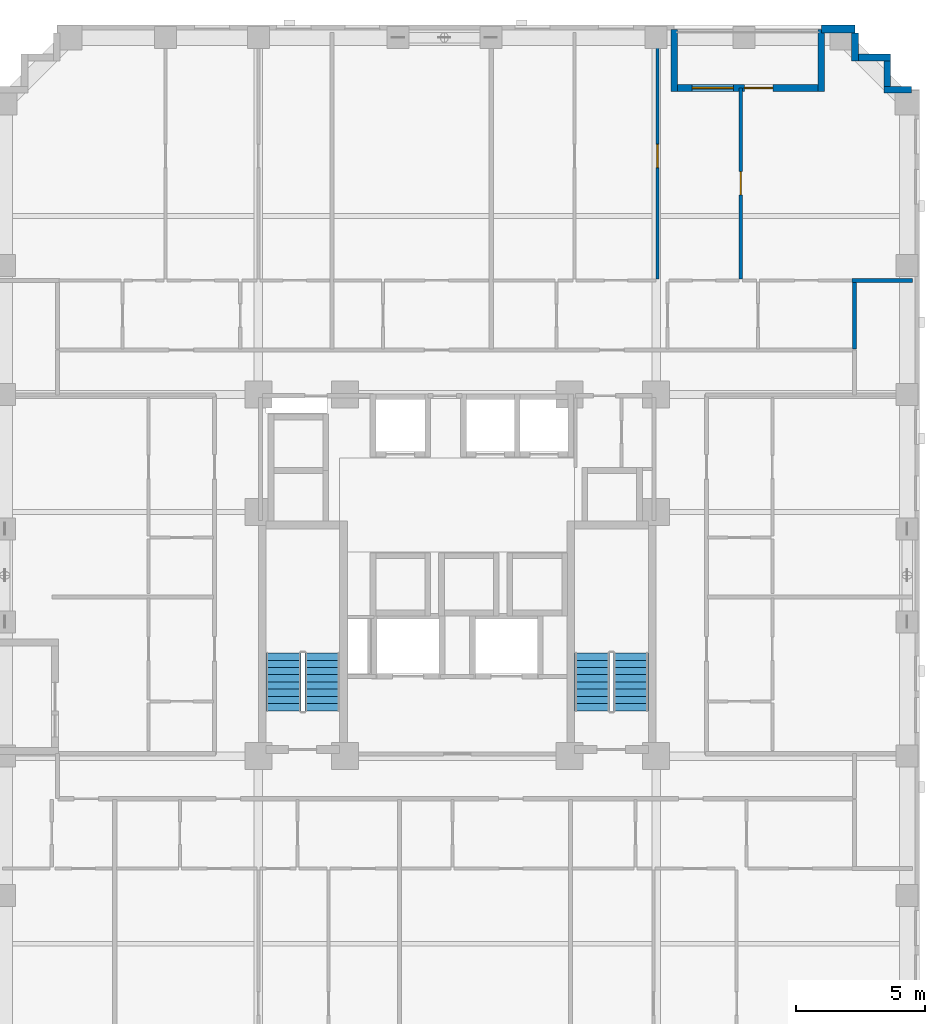
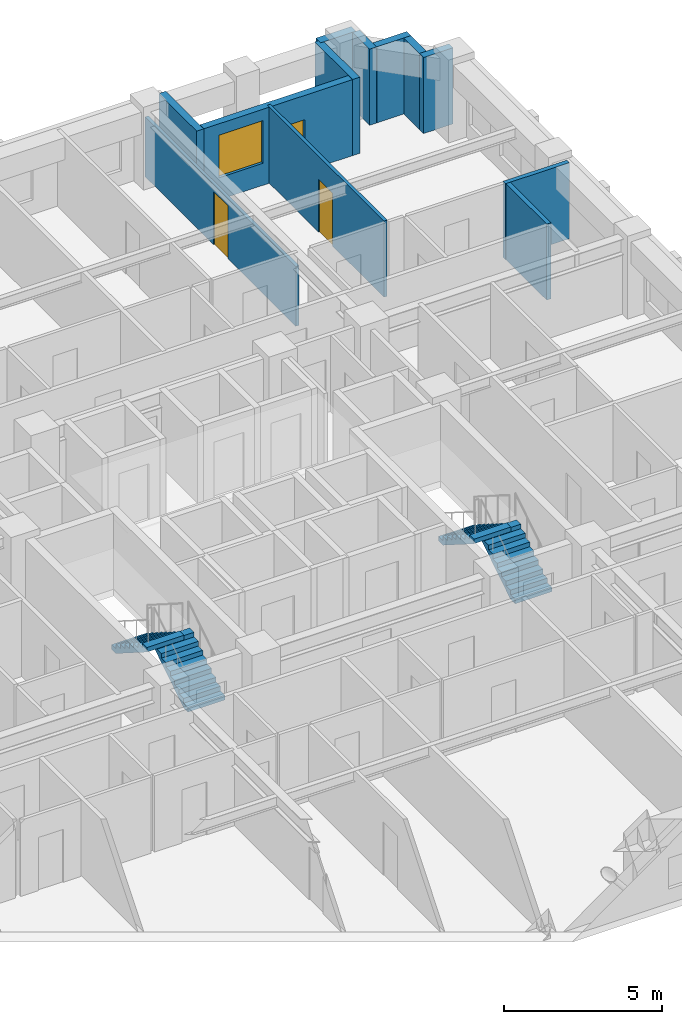
# One storey, part 8 of 12: 12 walls, 4 stair flights, 3 doors, 1 window, 4 openings, 2 elements without a shape of their own.
"""IFC4 building model written with IfcOpenShell, lengths in metres."""

from ifc_helpers import new_model, si_unit, derived_unit, direction, frame, frame_2d, origin, place, context, subcontext, project, spatial, polyline, rectangle, outline, extrude, material, layer, layer_set, type_object, element, fill, aggregate, save


model = new_model("IFC4")

# Units and contexts
model_context = context("Model", 3, precision=1e-05, world=origin(), true_north=direction((0.0, 1.0)))
body_context = subcontext(model_context, "Body", "Model", "MODEL_VIEW")
ifc_project = project(units=[si_unit("LENGTHUNIT", "METRE"), si_unit("AREAUNIT", "SQUARE_METRE"), si_unit("VOLUMEUNIT", "CUBIC_METRE"), si_unit("PLANEANGLEUNIT", "RADIAN"), si_unit("MASSUNIT", "GRAM", prefix="KILO"), derived_unit("THERMALTRANSMITTANCEUNIT", [(si_unit("MASSUNIT", "GRAM", prefix="KILO"), 1), (si_unit("TIMEUNIT", "SECOND"), -3), (si_unit("THERMODYNAMICTEMPERATUREUNIT", "KELVIN"), -1)])], contexts=[model_context])

# Site, building, storey
site_placement = place(None, origin())
site = spatial("IfcSite", under=ifc_project, at=site_placement, CompositionType="ELEMENT")
building_placement = place(site_placement, origin())
building = spatial("IfcBuilding", under=site, at=building_placement, Name="Korrvale Station Residences", CompositionType="ELEMENT")
storey_placement = place(building_placement, frame((0.0, 0.0, 94.300048828125)))
storey = spatial("IfcBuildingStorey", under=building, at=storey_placement, Name="L26", CompositionType="ELEMENT", Elevation=94.300048828125)

# Wall
ifc_material_1 = material(Name="Precast concrete C45/55", Category="concrete")
ifc_layer_1 = layer(ifc_material_1, 0.260009765625, Name="Precast concrete C45/55")
ifc_layer_set_1 = layer_set([ifc_layer_1], Name="Precast concrete C45/55")
wall_type_1 = type_object("IfcWallType", Name="WAL-EXT-LOG260", PredefinedType="SOLIDWALL", material=ifc_layer_set_1)
wall_1_placement = place(storey_placement, frame((33.89990234375, 43.139892578125, 0.0), z_axis=(0.0, 0.0, 1.0), x_axis=(0.0, -1.0, 0.0)))
element("IfcWall", 1, at=wall_1_placement, inside=storey, type_object=wall_type_1, Name="L26 Recessed Loggia Wall BAL-L26-N1-L", PredefinedType="SOLIDWALL", context=body_context, shape_type="SweptSolid", body=[
    extrude(rectangle(XDim=2.39990234375, YDim=0.260009765625, at=frame_2d((1.199951171875, 0.0))), origin(), (0.0, 0.0, 1.0), 2.93994140625),
])

# Wall, openings, door, window
wall_2_placement = place(storey_placement, frame((34.033935546875, 40.8701171875, 0.0), z_axis=(0.0, 0.0, 1.0), x_axis=(1.0, 0.0, 0.0)))
wall_2 = element("IfcWall", 2, at=wall_2_placement, inside=storey, type_object=wall_type_1, Name="L26 Recessed Loggia Wall BAL-L26-N1-B", PredefinedType="SOLIDWALL", context=body_context, shape_type="SweptSolid", body=[
    extrude(rectangle(XDim=5.43212890625, YDim=0.260009765625, at=frame_2d((2.716064453125, 0.0))), origin(), (0.0, 0.0, 1.0), 2.93994140625),
])
opening_1_placement = place(wall_2_placement, frame((2.5859375, 0.0, 0.0)))
opening_1 = element("IfcOpeningElement", 3, at=opening_1_placement, cuts=wall_2, Name="Opening BD-01", PredefinedType="OPENING", context=body_context, shape_type="SweptSolid", body=[
    extrude(rectangle(XDim=1.10009765625, YDim=2.0, at=frame_2d((0.550048828125, 1.0))), frame((0.0, 0.14013671875, 0.0), z_axis=(0.0, -1.0, 0.0), x_axis=(1.0, 0.0, 0.0)), (0.0, 0.0, 1.0), 0.280029296875),
])
opening_2_placement = place(wall_2_placement, frame((0.55810546875, 0.0, 0.85009765625)))
opening_2 = element("IfcOpeningElement", 4, at=opening_2_placement, cuts=wall_2, Name="Opening W-05", PredefinedType="OPENING", context=body_context, shape_type="SweptSolid", body=[
    extrude(rectangle(XDim=1.60009765625, YDim=1.64990234375, at=frame_2d((0.800048828125, 0.824951171875))), frame((0.0, 0.14013671875, 0.0), z_axis=(0.0, -1.0, 0.0), x_axis=(1.0, 0.0, 0.0)), (0.0, 0.0, 1.0), 0.280029296875),
])
ifc_material_2 = material(Name="Exterior thermally broken aluminium glazed balcony door", Category="aluminium")
door_type_1 = type_object("IfcDoorType", Name="DR-EXT-BAL", OperationType="NOTDEFINED", PredefinedType="DOOR", material=ifc_material_2)
door_1_placement = place(opening_1_placement, origin())
door_1 = element("IfcDoor", 5, at=door_1_placement, inside=storey, type_object=door_type_1, Name="L26 Loggia Balcony Door BAL-L26-N1", OperationType="SINGLE_SWING_RIGHT", OverallHeight=2.0, OverallWidth=1.10009765625, PredefinedType="DOOR", context=body_context, shape_type="SweptSolid", body=[
    extrude(rectangle(XDim=1.10009765625, YDim=2.0, at=frame_2d((0.550048828125, 1.0))), frame((0.0, 0.02490234375, 0.0), z_axis=(0.0, -1.0, 0.0), x_axis=(1.0, 0.0, 0.0)), (0.0, 0.0, 1.0), 0.050048828125),
])
fill(opening_1, door_1)
ifc_material_3 = material(Name="Thermally broken aluminium frame with triple low-e glazing", Category="aluminium")
window_type = type_object("IfcWindowType", Name="WIN-W05", PartitioningType="DOUBLE_PANEL_VERTICAL", PredefinedType="WINDOW", material=ifc_material_3)
window_placement = place(opening_2_placement, origin())
window = element("IfcWindow", 6, at=window_placement, inside=storey, type_object=window_type, Name="L26 Punched Window 18", OverallHeight=1.64990234375, OverallWidth=1.60009765625, PartitioningType="DOUBLE_PANEL_VERTICAL", PredefinedType="WINDOW", context=body_context, shape_type="SweptSolid", body=[
    extrude(rectangle(XDim=1.60009765625, YDim=1.64990234375, at=frame_2d((0.800048828125, 0.824951171875))), frame((0.0, 0.030029296875, 0.0), z_axis=(0.0, -1.0, 0.0), x_axis=(1.0, 0.0, 0.0)), (0.0, 0.0, 1.0), 0.06005859375),
])
fill(opening_2, window)

# Walls
wall_3_placement = place(storey_placement, frame((39.60009765625, 40.739990234375, 0.0), z_axis=(0.0, 0.0, 1.0), x_axis=(0.0, 1.0, 0.0)))
element("IfcWall", 7, at=wall_3_placement, inside=storey, type_object=wall_type_1, Name="L26 Recessed Loggia Wall BAL-L26-N1-R", PredefinedType="SOLIDWALL", context=body_context, shape_type="SweptSolid", body=[
    extrude(rectangle(XDim=2.39990234375, YDim=0.260009765625, at=frame_2d((1.199951171875, 0.0))), origin(), (0.0, 0.0, 1.0), 2.93994140625),
])
wall_4_placement = place(storey_placement, frame((40.89990234375, 42.998046875, 0.0), z_axis=(0.0, 0.0, 1.0), x_axis=(0.0, -1.0, 0.0)))
element("IfcWall", 8, at=wall_4_placement, inside=storey, type_object=wall_type_1, Name="L26 Serrated Corner Precast Step NE-1", PredefinedType="SOLIDWALL", context=body_context, shape_type="SweptSolid", body=[
    extrude(rectangle(XDim=1.078125, YDim=0.260009765625, at=frame_2d((0.5390625, 0.0))), origin(), (0.0, 0.0, 1.0), 2.93994140625),
])
wall_5_placement = place(storey_placement, frame((41.031982421875, 42.050048828125, 0.0), z_axis=(0.0, 0.0, 1.0), x_axis=(1.0, 0.0, 0.0)))
element("IfcWall", 9, at=wall_5_placement, inside=storey, type_object=wall_type_1, Name="L26 Serrated Corner Precast Step NE-2", PredefinedType="SOLIDWALL", context=body_context, shape_type="SweptSolid", body=[
    extrude(rectangle(XDim=1.248046875, YDim=0.260009765625, at=frame_2d((0.6240234375, 0.0))), origin(), (0.0, 0.0, 1.0), 2.93994140625),
])
wall_6_placement = place(storey_placement, frame((42.14990234375, 41.91796875, 0.0), z_axis=(0.0, 0.0, 1.0), x_axis=(0.0, -1.0, 0.0)))
element("IfcWall", 10, at=wall_6_placement, inside=storey, type_object=wall_type_1, Name="L26 Serrated Corner Precast Step NE-3", PredefinedType="SOLIDWALL", context=body_context, shape_type="SweptSolid", body=[
    extrude(rectangle(XDim=0.986083984375, YDim=0.260009765625, at=frame_2d((0.4931640625, 0.0))), origin(), (0.0, 0.0, 1.0), 2.93994140625),
])
wall_7_placement = place(storey_placement, frame((42.02001953125, 40.800048828125, 0.0), z_axis=(0.0, 0.0, 1.0), x_axis=(1.0, 0.0, 0.0)))
element("IfcWall", 11, at=wall_7_placement, inside=storey, type_object=wall_type_1, Name="L26 Serrated Corner Precast Step NE-4", PredefinedType="SOLIDWALL", context=body_context, shape_type="SweptSolid", body=[
    extrude(rectangle(XDim=1.077880859375, YDim=0.260009765625, at=frame_2d((0.5390625, 0.0))), origin(), (0.0, 0.0, 1.0), 2.93994140625),
])
ifc_layer_2 = layer(ifc_material_1, 0.300048828125, Name="Precast concrete C45/55")
ifc_layer_set_2 = layer_set([ifc_layer_2], Name="Precast concrete C45/55")
wall_type_2 = type_object("IfcWallType", Name="WAL-EXT-PC300", PredefinedType="SOLIDWALL", material=ifc_layer_set_2)
wall_8_placement = place(storey_placement, frame((39.60009765625, 43.14990234375, 0.0), z_axis=(0.0, 0.0, 1.0), x_axis=(1.0, 0.0, 0.0)))
element("IfcWall", 12, at=wall_8_placement, inside=storey, type_object=wall_type_2, Name="L26 North Exterior Precast Wall 2", PredefinedType="SOLIDWALL", context=body_context, shape_type="SweptSolid", body=[
    extrude(rectangle(XDim=1.2998046875, YDim=0.300048828125, at=frame_2d((0.64990234375, 0.0))), origin(), (0.0, 0.0, 1.0), 2.93994140625),
])

# Wall, opening, door
ifc_material_4 = material(Name="Acoustic steel-stud gypsum board partition", Category="steel")
ifc_layer_3 = layer(ifc_material_4, 0.1201171875, Name="Acoustic steel-stud gypsum board partition")
ifc_layer_set_3 = layer_set([ifc_layer_3], Name="Acoustic steel-stud gypsum board partition")
wall_type_3 = type_object("IfcWallType", Name="WAL-PART-125", PredefinedType="PARTITIONING", material=ifc_layer_set_3)
wall_9_placement = place(storey_placement, frame((33.260009765625, 33.47998046875, 0.0), z_axis=(0.0, 0.0, 1.0), x_axis=(0.0, 1.0, 0.0)))
wall_9 = element("IfcWall", 13, at=wall_9_placement, inside=storey, type_object=wall_type_3, Name="L26 Suite Partition U07-V56", PredefinedType="PARTITIONING", context=body_context, shape_type="SweptSolid", body=[
    extrude(rectangle(XDim=9.5400390625, YDim=0.1201171875, at=frame_2d((4.77001953125, 0.0))), origin(), (0.0, 0.0, 1.0), 2.308837890625),
])
opening_3_placement = place(wall_9_placement, frame((4.304931640625, 0.0, 0.0)))
opening_3 = element("IfcOpeningElement", 14, at=opening_3_placement, cuts=wall_9, Name="Opening DI-900", PredefinedType="OPENING", context=body_context, shape_type="SweptSolid", body=[
    extrude(rectangle(XDim=0.89990234375, YDim=2.050048828125, at=frame_2d((0.449951171875, 1.02490234375))), frame((0.0, 0.070068359375, 0.0), z_axis=(0.0, -1.0, 0.0), x_axis=(1.0, 0.0, 0.0)), (0.0, 0.0, 1.0), 0.14013671875),
])
ifc_material_5 = material(Name="Painted solid-core timber interior room door", Category="wood")
door_type_2 = type_object("IfcDoorType", Name="DR-INT-900", OperationType="NOTDEFINED", PredefinedType="DOOR", material=ifc_material_5)
door_2_placement = place(opening_3_placement, origin())
door_2 = element("IfcDoor", 15, at=door_2_placement, inside=storey, type_object=door_type_2, Name="L26 Studio Apartment L26-U07 Formal Dining Room Door", OperationType="SINGLE_SWING_LEFT", OverallHeight=2.050048828125, OverallWidth=0.89990234375, PredefinedType="DOOR", context=body_context, shape_type="SweptSolid", body=[
    extrude(rectangle(XDim=0.89990234375, YDim=2.050048828125, at=frame_2d((0.449951171875, 1.02490234375))), frame((0.0, 0.02490234375, 0.0), z_axis=(0.0, -1.0, 0.0), x_axis=(1.0, 0.0, 0.0)), (0.0, 0.0, 1.0), 0.050048828125),
])
fill(opening_3, door_2)

wall_10_placement = place(storey_placement, frame((36.47998046875, 33.47998046875, 0.0), z_axis=(0.0, 0.0, 1.0), x_axis=(0.0, 1.0, 0.0)))
wall_10 = element("IfcWall", 16, at=wall_10_placement, inside=storey, type_object=wall_type_3, Name="L26 Suite Partition U07-V67", PredefinedType="PARTITIONING", context=body_context, shape_type="SweptSolid", body=[
    extrude(rectangle(XDim=7.39013671875, YDim=0.1201171875, at=frame_2d((3.695068359375, 0.0))), origin(), (0.0, 0.0, 1.0), 2.93994140625),
])
opening_4_placement = place(wall_10_placement, frame((3.2451171875, 0.0, 0.0)))
opening_4 = element("IfcOpeningElement", 17, at=opening_4_placement, cuts=wall_10, Name="Opening DI-900", PredefinedType="OPENING", context=body_context, shape_type="SweptSolid", body=[
    extrude(rectangle(XDim=0.89990234375, YDim=2.050048828125, at=frame_2d((0.449951171875, 1.02490234375))), frame((0.0, 0.070068359375, 0.0), z_axis=(0.0, -1.0, 0.0), x_axis=(1.0, 0.0, 0.0)), (0.0, 0.0, 1.0), 0.14013671875),
])
door_3_placement = place(opening_4_placement, origin())
door_3 = element("IfcDoor", 18, at=door_3_placement, inside=storey, type_object=door_type_2, Name="L26 Studio Apartment L26-U07 Formal Dining Room Door", OperationType="SINGLE_SWING_RIGHT", OverallHeight=2.050048828125, OverallWidth=0.89990234375, PredefinedType="DOOR", context=body_context, shape_type="SweptSolid", body=[
    extrude(rectangle(XDim=0.89990234375, YDim=2.050048828125, at=frame_2d((0.449951171875, 1.02490234375))), frame((0.0, 0.02490234375, 0.0), z_axis=(0.0, -1.0, 0.0), x_axis=(1.0, 0.0, 0.0)), (0.0, 0.0, 1.0), 0.050048828125),
])
fill(opening_4, door_3)

# Walls
ifc_material_6 = material(Name="Fire-rated twin-stud gypsum and mineral wool shaftwall assembly", Category="gypsum")
ifc_layer_4 = layer(ifc_material_6, 0.159912109375, Name="Fire-rated twin-stud gypsum and mineral wool shaftwall assembly")
ifc_layer_set_4 = layer_set([ifc_layer_4], Name="Fire-rated twin-stud gypsum and mineral wool shaftwall assembly")
wall_type_4 = type_object("IfcWallType", Name="WAL-PART-200", PredefinedType="PARTITIONING", material=ifc_layer_set_4)
wall_11_placement = place(storey_placement, frame((40.780029296875, 33.419921875, 0.0), z_axis=(0.0, 0.0, 1.0), x_axis=(1.0, 0.0, 0.0)))
element("IfcWall", 19, at=wall_11_placement, inside=storey, type_object=wall_type_4, Name="L26 Corner Step Wall U07-R", PredefinedType="PARTITIONING", context=body_context, shape_type="SweptSolid", body=[
    extrude(rectangle(XDim=2.340087890625, YDim=0.159912109375, at=frame_2d((1.169921875, 0.0))), origin(), (0.0, 0.0, 1.0), 2.93994140625),
])
wall_12_placement = place(storey_placement, frame((40.8798828125, 30.760009765625, 0.0), z_axis=(0.0, 0.0, 1.0), x_axis=(0.0, 1.0, 0.0)))
element("IfcWall", 20, at=wall_12_placement, inside=storey, type_object=wall_type_4, Name="L26 Corner Step Cheek U07-R", PredefinedType="PARTITIONING", context=body_context, shape_type="SweptSolid", body=[
    extrude(rectangle(XDim=2.659912109375, YDim=0.159912109375, at=frame_2d((1.330078125, 0.0))), origin(), (0.0, 0.0, 1.0), 2.93994140625),
])

# Stair, stair flights
ifc_material_7 = material(Name="Concrete C50/60", Category="concrete")
stair_type = type_object("IfcStairType", Name="STR-DL-1350-18R-1778", PredefinedType="HALF_TURN_STAIR", material=ifc_material_7)
stair_1_placement = place(storey_placement, origin())
stair_1 = element("IfcStair", 21, at=stair_1_placement, inside=storey, type_object=stair_type, Name="L26 Exit Stair 1", PredefinedType="HALF_TURN_STAIR")
stair_flight_type = type_object("IfcStairFlightType", Name="FLT-DL-1350-18R-1778", PredefinedType="STRAIGHT", material=ifc_material_7)
stair_flight_1_placement = place(storey_placement, frame((20.27490234375, 16.75, 0.0), z_axis=(0.0, 0.0, 1.0), x_axis=(0.0, 1.0, 0.0)))
stair_flight_1 = element("IfcStairFlight", 22, at=stair_flight_1_placement, type_object=stair_flight_type, Name="ST-1 flight 1", NumberOfRisers=9, NumberOfTreads=8, PredefinedType="STRAIGHT", RiserHeight=0.177777778, TreadLength=0.28, context=body_context, shape_type="SweptSolid", body=[
    extrude(outline(polyline([(0.0, 0.0), (0.0, 0.177734375), (0.280029296875, 0.177734375), (0.280029296875, 0.35546875), (0.56005859375, 0.35546875), (0.56005859375, 0.533447265625), (0.840087890625, 0.533447265625), (0.840087890625, 0.711181640625), (1.1201171875, 0.711181640625), (1.1201171875, 0.888916015625), (1.39990234375, 0.888916015625), (1.39990234375, 1.066650390625), (1.679931640625, 1.066650390625), (1.679931640625, 1.244384765625), (1.9599609375, 1.244384765625), (1.9599609375, 1.422119140625), (2.239990234375, 1.422119140625), (2.239990234375, 1.60009765625), (2.239990234375, 1.24462890625), (0.27978515625, 0.0), (0.0, 0.0)])), frame((0.0, 0.675048828125, 0.0), z_axis=(0.0, -1.0, 0.0), x_axis=(1.0, 0.0, 0.0)), (0.0, 0.0, 1.0), 1.35009765625),
])
stair_flight_2_placement = place(storey_placement, frame((18.77490234375, 18.989990234375, 1.599853515625), z_axis=(0.0, 0.0, 1.0), x_axis=(0.0, -1.0, 0.0)))
stair_flight_2 = element("IfcStairFlight", 23, at=stair_flight_2_placement, type_object=stair_flight_type, Name="ST-1 flight 2", NumberOfRisers=9, NumberOfTreads=8, PredefinedType="STRAIGHT", RiserHeight=0.177777778, TreadLength=0.28, context=body_context, shape_type="SweptSolid", body=[
    extrude(outline(polyline([(0.0, 0.0), (0.0, 0.177734375), (0.280029296875, 0.177734375), (0.280029296875, 0.35546875), (0.56005859375, 0.35546875), (0.56005859375, 0.533447265625), (0.840087890625, 0.533447265625), (0.840087890625, 0.711181640625), (1.1201171875, 0.711181640625), (1.1201171875, 0.888916015625), (1.39990234375, 0.888916015625), (1.39990234375, 1.066650390625), (1.679931640625, 1.066650390625), (1.679931640625, 1.244384765625), (1.9599609375, 1.244384765625), (1.9599609375, 1.422119140625), (2.239990234375, 1.422119140625), (2.239990234375, 1.60009765625), (2.239990234375, 1.24462890625), (0.27978515625, 0.0), (0.0, 0.0)])), frame((0.0, 0.675048828125, 0.0), z_axis=(0.0, -1.0, 0.0), x_axis=(1.0, 0.0, 0.0)), (0.0, 0.0, 1.0), 1.35009765625),
])
aggregate(stair_1, [stair_flight_1, stair_flight_2])

stair_2_placement = place(storey_placement, origin())
stair_2 = element("IfcStair", 24, at=stair_2_placement, inside=storey, type_object=stair_type, Name="L26 Exit Stair 2", PredefinedType="HALF_TURN_STAIR")
stair_flight_3_placement = place(storey_placement, frame((32.22509765625, 16.75, 0.0), z_axis=(0.0, 0.0, 1.0), x_axis=(0.0, 1.0, 0.0)))
stair_flight_3 = element("IfcStairFlight", 25, at=stair_flight_3_placement, type_object=stair_flight_type, Name="ST-2 flight 1", NumberOfRisers=9, NumberOfTreads=8, PredefinedType="STRAIGHT", RiserHeight=0.177777778, TreadLength=0.28, context=body_context, shape_type="SweptSolid", body=[
    extrude(outline(polyline([(0.0, 0.0), (0.0, 0.177734375), (0.280029296875, 0.177734375), (0.280029296875, 0.35546875), (0.56005859375, 0.35546875), (0.56005859375, 0.533447265625), (0.840087890625, 0.533447265625), (0.840087890625, 0.711181640625), (1.1201171875, 0.711181640625), (1.1201171875, 0.888916015625), (1.39990234375, 0.888916015625), (1.39990234375, 1.066650390625), (1.679931640625, 1.066650390625), (1.679931640625, 1.244384765625), (1.9599609375, 1.244384765625), (1.9599609375, 1.422119140625), (2.239990234375, 1.422119140625), (2.239990234375, 1.60009765625), (2.239990234375, 1.24462890625), (0.27978515625, 0.0), (0.0, 0.0)])), frame((0.0, 0.675048828125, 0.0), z_axis=(0.0, -1.0, 0.0), x_axis=(1.0, 0.0, 0.0)), (0.0, 0.0, 1.0), 1.35009765625),
])
stair_flight_4_placement = place(storey_placement, frame((30.72509765625, 18.989990234375, 1.599853515625), z_axis=(0.0, 0.0, 1.0), x_axis=(0.0, -1.0, 0.0)))
stair_flight_4 = element("IfcStairFlight", 26, at=stair_flight_4_placement, type_object=stair_flight_type, Name="ST-2 flight 2", NumberOfRisers=9, NumberOfTreads=8, PredefinedType="STRAIGHT", RiserHeight=0.177777778, TreadLength=0.28, context=body_context, shape_type="SweptSolid", body=[
    extrude(outline(polyline([(0.0, 0.0), (0.0, 0.177734375), (0.280029296875, 0.177734375), (0.280029296875, 0.35546875), (0.56005859375, 0.35546875), (0.56005859375, 0.533447265625), (0.840087890625, 0.533447265625), (0.840087890625, 0.711181640625), (1.1201171875, 0.711181640625), (1.1201171875, 0.888916015625), (1.39990234375, 0.888916015625), (1.39990234375, 1.066650390625), (1.679931640625, 1.066650390625), (1.679931640625, 1.244384765625), (1.9599609375, 1.244384765625), (1.9599609375, 1.422119140625), (2.239990234375, 1.422119140625), (2.239990234375, 1.60009765625), (2.239990234375, 1.24462890625), (0.27978515625, 0.0), (0.0, 0.0)])), frame((0.0, 0.675048828125, 0.0), z_axis=(0.0, -1.0, 0.0), x_axis=(1.0, 0.0, 0.0)), (0.0, 0.0, 1.0), 1.35009765625),
])
aggregate(stair_2, [stair_flight_3, stair_flight_4])

save(model, "model.ifc")
